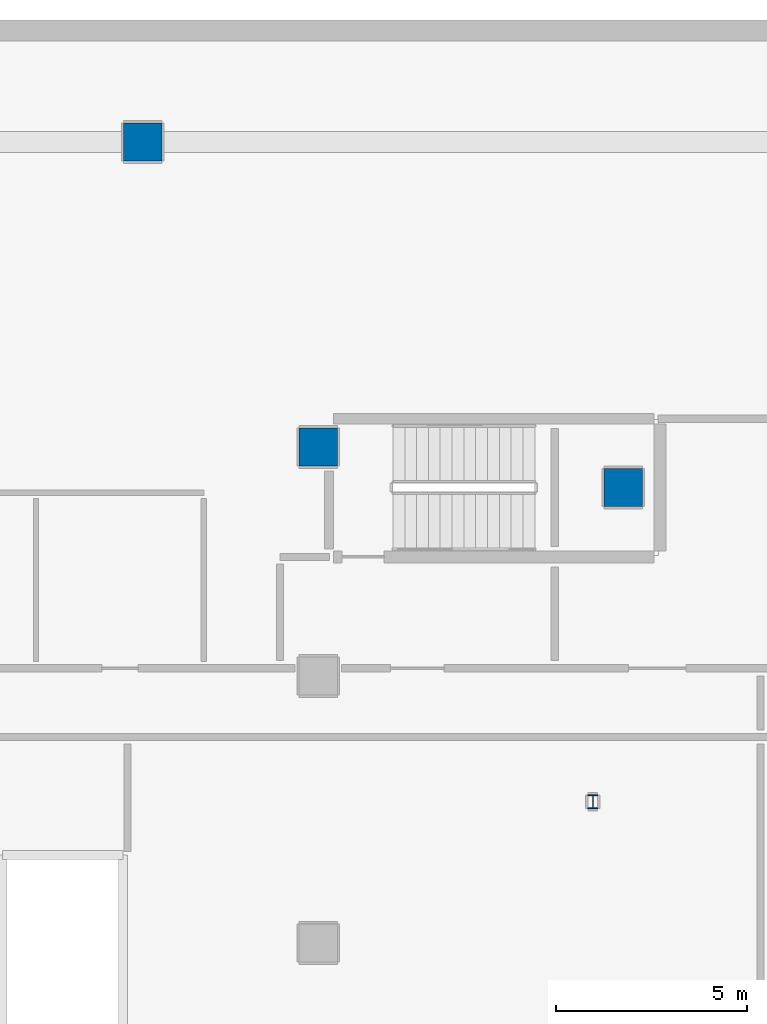
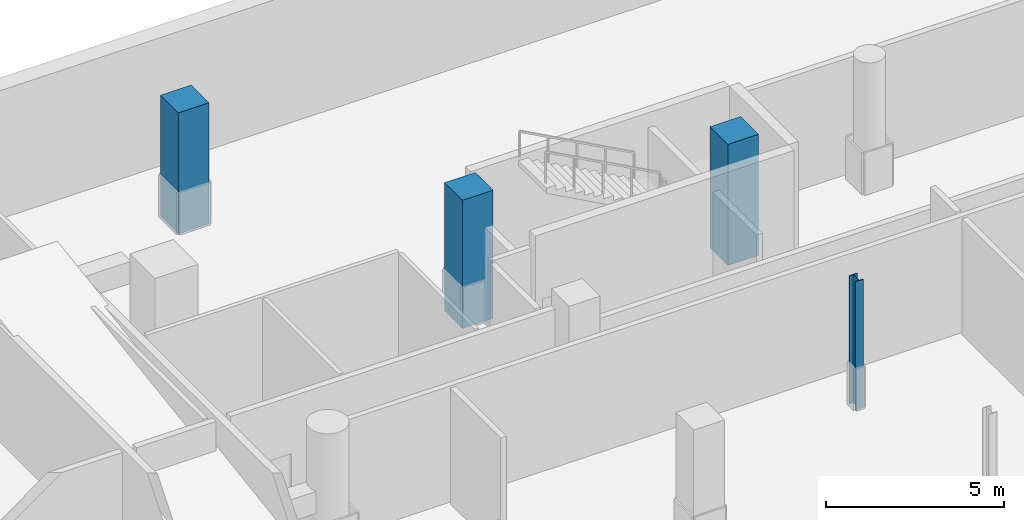
# One storey, part 4 of 22: 4 columns.
"""IFC4 building model written with IfcOpenShell, lengths in metres."""

from ifc_helpers import new_model, si_unit, direction, frame, origin, origin_2d, place, context, subcontext, project, spatial, rectangle, i_section, extrude, material, material_profile, profile_set, type_object, element, save


model = new_model("IFC4")

# Units and contexts
model_context = context("Model", 3, precision=1e-05, world=origin(), true_north=direction((0.0, 1.0)))
body_context = subcontext(model_context, "Body", "Model", "MODEL_VIEW")
ifc_project = project(units=[si_unit("LENGTHUNIT", "METRE"), si_unit("AREAUNIT", "SQUARE_METRE"), si_unit("VOLUMEUNIT", "CUBIC_METRE"), si_unit("PLANEANGLEUNIT", "RADIAN"), si_unit("MASSUNIT", "GRAM", prefix="KILO")], contexts=[model_context])

# Site, building, storey
site_placement = place(None, origin())
site = spatial("IfcSite", under=ifc_project, at=site_placement, CompositionType="ELEMENT")
building_placement = place(site_placement, origin())
building = spatial("IfcBuilding", under=site, at=building_placement, Name="Solanera Arch Residences", CompositionType="ELEMENT")
storey_placement = place(building_placement, frame((0.0, 0.0, -4.39990234375)))
storey = spatial("IfcBuildingStorey", under=building, at=storey_placement, Name="B01", CompositionType="ELEMENT", Elevation=-4.39990234375)

# Columns
ifc_material_1 = material(Name="Concrete C55/67 (f'c = 60 MPa)", Category="concrete")
ifc_material_profile_1 = material_profile(ifc_material_1, rectangle(XDim=1.0, YDim=1.0, at=origin_2d()))
ifc_profile_set_1 = profile_set([ifc_material_profile_1], Name="Concrete C55/67 (f'c = 60 MPa)")
column_type_1 = type_object("IfcColumnType", Name="Structural Column RC-COL-1000X1000", PredefinedType="COLUMN", material=ifc_profile_set_1)
for number, where, z_axis, x_axis, name in (
    (1, (51.199951171875, 55.39990234375, 0.0), (0.0, 0.0, 1.0), (1.0, 0.0, 0.0), "COL-B01-PAD-13"),
    (2, (63.800048828125, 46.340087890625, 0.0), (0.0, 0.0, 1.0), (1.0, 0.0, 0.0), "COL-B01-PAD-16"),
):
    element("IfcColumn", number, at=place(storey_placement, frame(where, z_axis=z_axis, x_axis=x_axis)), inside=storey, type_object=column_type_1, Name=name, PredefinedType="COLUMN", context=body_context, shape_type="SweptSolid", body=[
        extrude(rectangle(XDim=1.0, YDim=1.0, at=origin_2d()), origin(), (0.0, 0.0, 1.0), 4.159912109375),
    ])
column_1_placement = place(storey_placement, frame((55.800048828125, 47.39990234375, 0.0), z_axis=(0.0, 0.0, 1.0), x_axis=(1.0, 0.0, 0.0)))
element("IfcColumn", 3, at=column_1_placement, inside=storey, type_object=column_type_1, Name="COL-B01-HALL-06", PredefinedType="COLUMN", context=body_context, shape_type="SweptSolid", body=[
    extrude(rectangle(XDim=1.0, YDim=1.0, at=origin_2d()), origin(), (0.0, 0.0, 1.0), 4.39990234375),
])
ifc_material_2 = material(Name="Steel S355 (ASTM A992 / A572 Grade 50)", Category="steel")
ifc_material_profile_2 = material_profile(ifc_material_2, i_section(OverallWidth=0.257080078125, OverallDepth=0.363037109375, WebThickness=0.012939453125, FlangeThickness=0.021728515625, at=origin_2d()))
ifc_profile_set_2 = profile_set([ifc_material_profile_2], Name="Steel S355 (ASTM A992 / A572 Grade 50)")
column_type_2 = type_object("IfcColumnType", Name="Structural Column W360X122", PredefinedType="COLUMN", material=ifc_profile_set_2)
column_2_placement = place(storey_placement, frame((63.0, 38.10009765625, 0.0), z_axis=(0.0, 0.0, 1.0), x_axis=(1.0, 0.0, 0.0)))
element("IfcColumn", 4, at=column_2_placement, inside=storey, type_object=column_type_2, Name="COL-B01-PAD-05", PredefinedType="COLUMN", context=body_context, shape_type="SweptSolid", body=[
    extrude(i_section(OverallWidth=0.257080078125, OverallDepth=0.363037109375, WebThickness=0.012939453125, FlangeThickness=0.021728515625, at=origin_2d()), origin(), (0.0, 0.0, 1.0), 4.39990234375),
])

save(model, "model.ifc")
